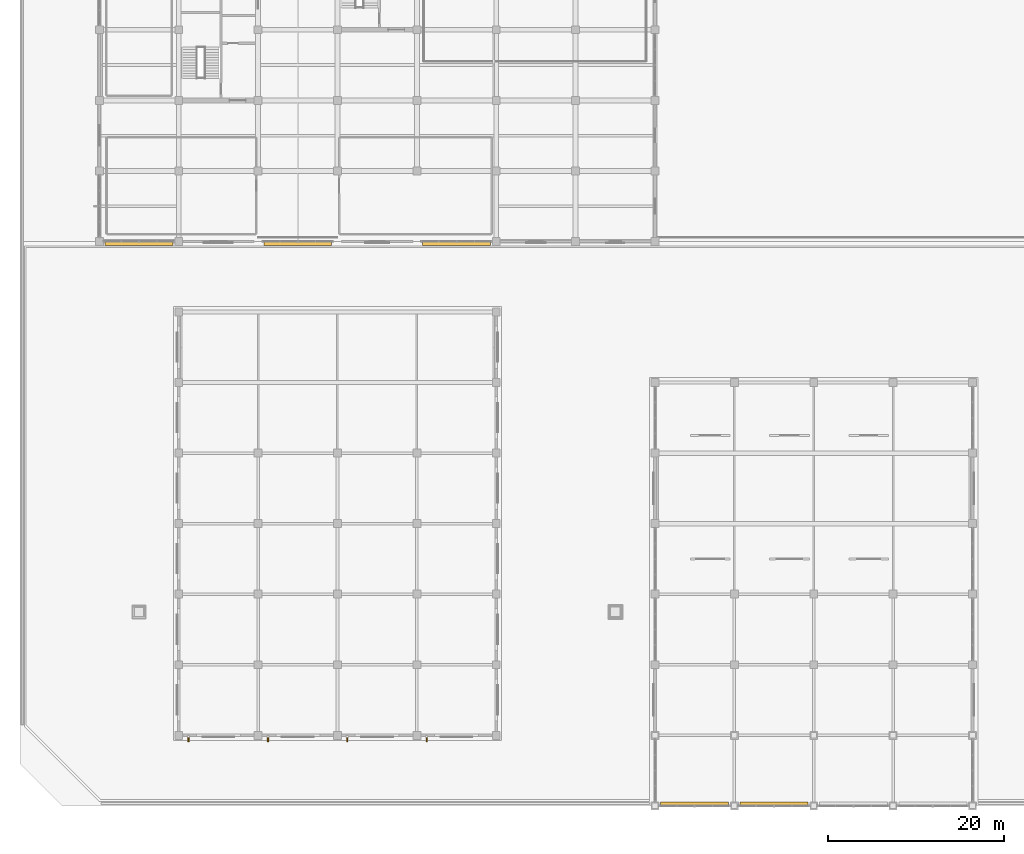
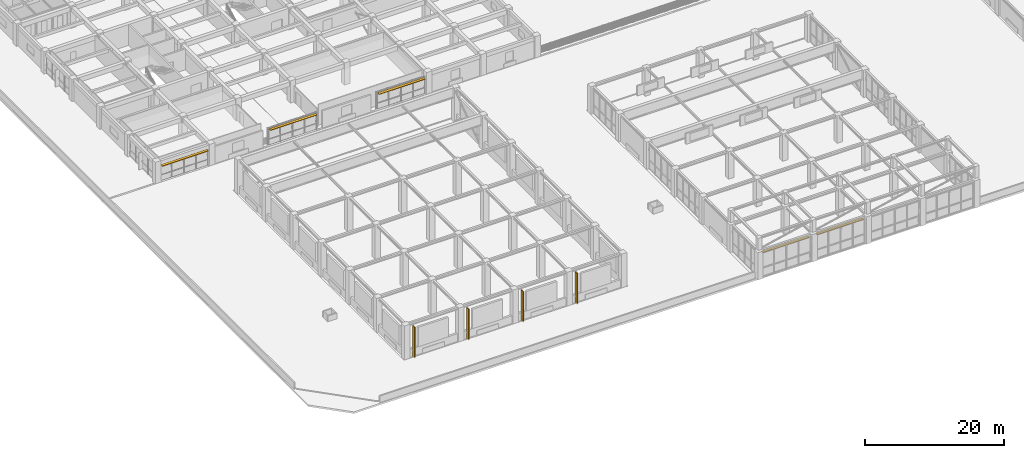
# One storey, part 30 of 34: 9 shading devices.
"""IFC4 building model written with IfcOpenShell, lengths in metres."""

from ifc_helpers import new_model, si_unit, direction, frame, frame_2d, origin, place, context, subcontext, project, spatial, rectangle, extrude, material, layer, layer_set, type_object, element, save


model = new_model("IFC4")

# Units and contexts
model_context = context("Model", 3, precision=1e-05, world=origin(), true_north=direction((0.0, 1.0)))
body_context = subcontext(model_context, "Body", "Model", "MODEL_VIEW")
ifc_project = project(units=[si_unit("LENGTHUNIT", "METRE"), si_unit("AREAUNIT", "SQUARE_METRE"), si_unit("VOLUMEUNIT", "CUBIC_METRE"), si_unit("PLANEANGLEUNIT", "RADIAN"), si_unit("MASSUNIT", "GRAM", prefix="KILO")], contexts=[model_context])

# Site, building, storey
site_placement = place(None, origin())
site = spatial("IfcSite", under=ifc_project, at=site_placement, CompositionType="ELEMENT")
building_placement = place(site_placement, origin())
building = spatial("IfcBuilding", under=site, at=building_placement, Name="Zaverband Oceanarium and Marine Research Institute", CompositionType="ELEMENT")
storey_placement = place(building_placement, frame((0.0, 0.0, 18.0)))
storey = spatial("IfcBuildingStorey", under=building, at=storey_placement, Name="L04", CompositionType="ELEMENT", Elevation=18.0)

# Shading devices
ifc_material_1 = material(Name="Concrete C40/50 precast brise-soleil", Category="concrete")
ifc_layer_1 = layer(ifc_material_1, 0.139892578125, Name="Concrete C40/50 precast brise-soleil")
ifc_layer_set_1 = layer_set([ifc_layer_1], Name="Concrete C40/50 precast brise-soleil")
shading_device_type_1 = type_object("IfcShadingDeviceType", Name="SHD-FIN-600", PredefinedType="JALOUSIE", material=ifc_layer_set_1)
for number, where, z_axis, x_axis, name in (
    (1, (19.110107421875, 7.864990234375, 0.0), (0.0, 0.0, 1.0), (0.0, -1.0, 0.0), "600 mm vertical precast brise-soleil fin SHD-FIN-600"),
    (2, (28.110107421875, 7.864990234375, 0.0), (0.0, 0.0, 1.0), (0.0, -1.0, 0.0), "600 mm vertical precast brise-soleil fin SHD-FIN-600"),
    (3, (37.110107421875, 7.864990234375, 0.0), (0.0, 0.0, 1.0), (0.0, -1.0, 0.0), "600 mm vertical precast brise-soleil fin SHD-FIN-600"),
    (4, (46.110107421875, 7.864990234375, 0.0), (0.0, 0.0, 1.0), (0.0, -1.0, 0.0), "600 mm vertical precast brise-soleil fin SHD-FIN-600"),
):
    element("IfcShadingDevice", number, at=place(storey_placement, frame(where, z_axis=z_axis, x_axis=x_axis)), inside=storey, type_object=shading_device_type_1, Name=name, PredefinedType="JALOUSIE", context=body_context, shape_type="SweptSolid", body=[
        extrude(rectangle(XDim=0.60009765625, YDim=0.139892578125, at=frame_2d((0.300048828125, 0.0))), origin(), (0.0, 0.0, 1.0), 5.39990234375),
    ])
ifc_material_2 = material(Name="Anodized bronze marine-grade aluminium", Category="aluminium")
ifc_layer_2 = layer(ifc_material_2, 0.080078125, Name="Anodized bronze marine-grade aluminium")
ifc_layer_set_2 = layer_set([ifc_layer_2], Name="Anodized bronze marine-grade aluminium")
shading_device_type_2 = type_object("IfcShadingDeviceType", Name="SHD-LVR-450", PredefinedType="USERDEFINED", material=ifc_layer_set_2)
for number, where, z_axis, x_axis, name in (
    (5, (9.655029296875, 63.760009765625, 2.800048828125), (0.0, 0.0, 1.0), (1.0, 0.0, 0.0), "450 mm horizontal solar shading louvre SHD-LVR-450"),
    (6, (27.655029296875, 63.760009765625, 2.800048828125), (0.0, 0.0, 1.0), (1.0, 0.0, 0.0), "450 mm horizontal solar shading louvre SHD-LVR-450"),
    (7, (45.655029296875, 63.760009765625, 2.800048828125), (0.0, 0.0, 1.0), (1.0, 0.0, 0.0), "450 mm horizontal solar shading louvre SHD-LVR-450"),
):
    element("IfcShadingDevice", number, at=place(storey_placement, frame(where, z_axis=z_axis, x_axis=x_axis)), inside=storey, type_object=shading_device_type_2, Name=name, ObjectType="LOUVRE", PredefinedType="USERDEFINED", context=body_context, shape_type="SweptSolid", body=[
        extrude(rectangle(XDim=7.68994140625, YDim=0.449951171875, at=frame_2d((3.844970703125, 0.0))), origin(), (0.0, 0.0, 1.0), 0.079833984375),
    ])
for number, where, z_axis, x_axis, name in (
    (8, (72.64990234375, 0.239990234375, 4.080078125), (0.0, 0.0, 1.0), (1.0, 0.0, 0.0), "450 mm horizontal solar shading louvre SHD-LVR-450"),
    (9, (81.64990234375, 0.239990234375, 4.080078125), (0.0, 0.0, 1.0), (1.0, 0.0, 0.0), "450 mm horizontal solar shading louvre SHD-LVR-450"),
):
    element("IfcShadingDevice", number, at=place(storey_placement, frame(where, z_axis=z_axis, x_axis=x_axis)), inside=storey, type_object=shading_device_type_2, Name=name, ObjectType="LOUVRE", PredefinedType="USERDEFINED", context=body_context, shape_type="SweptSolid", body=[
        extrude(rectangle(XDim=7.7001953125, YDim=0.449951171875, at=frame_2d((3.85009765625, 0.0))), origin(), (0.0, 0.0, 1.0), 0.079833984375),
    ])

save(model, "model.ifc")
